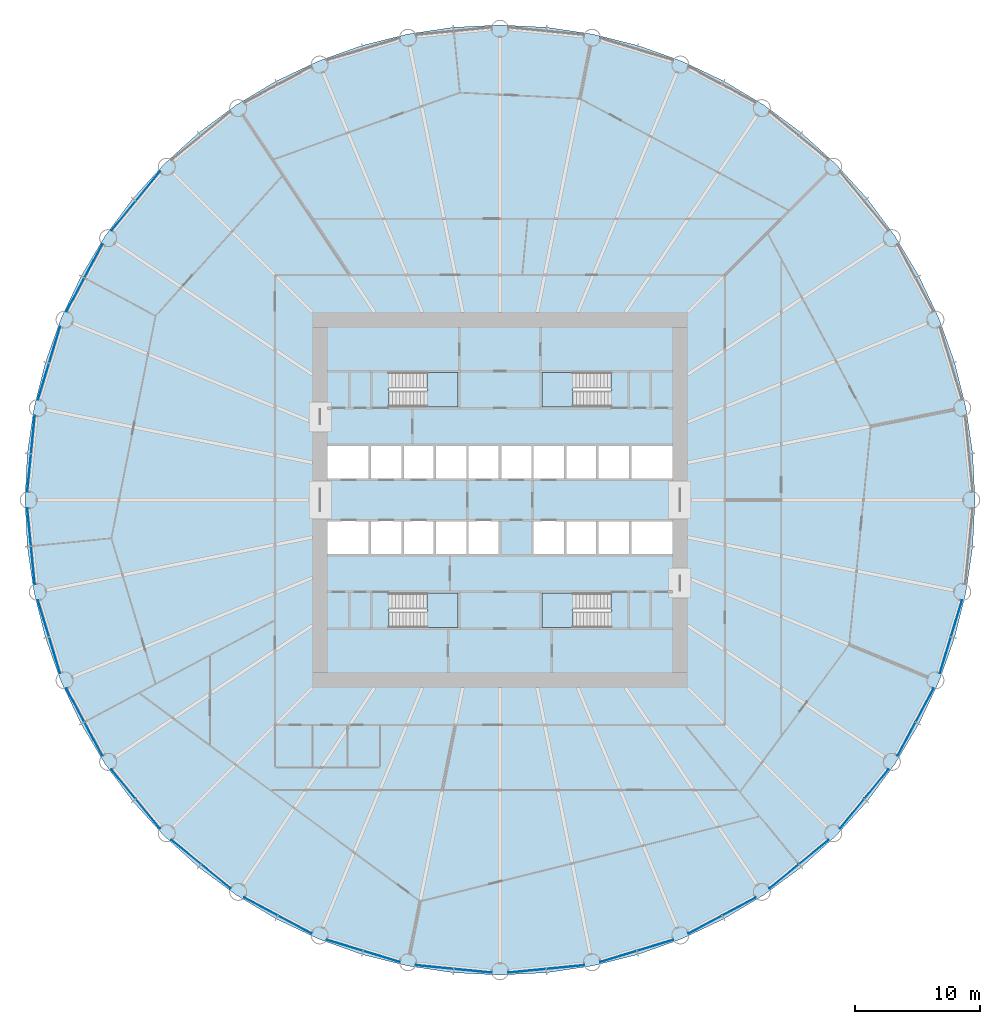
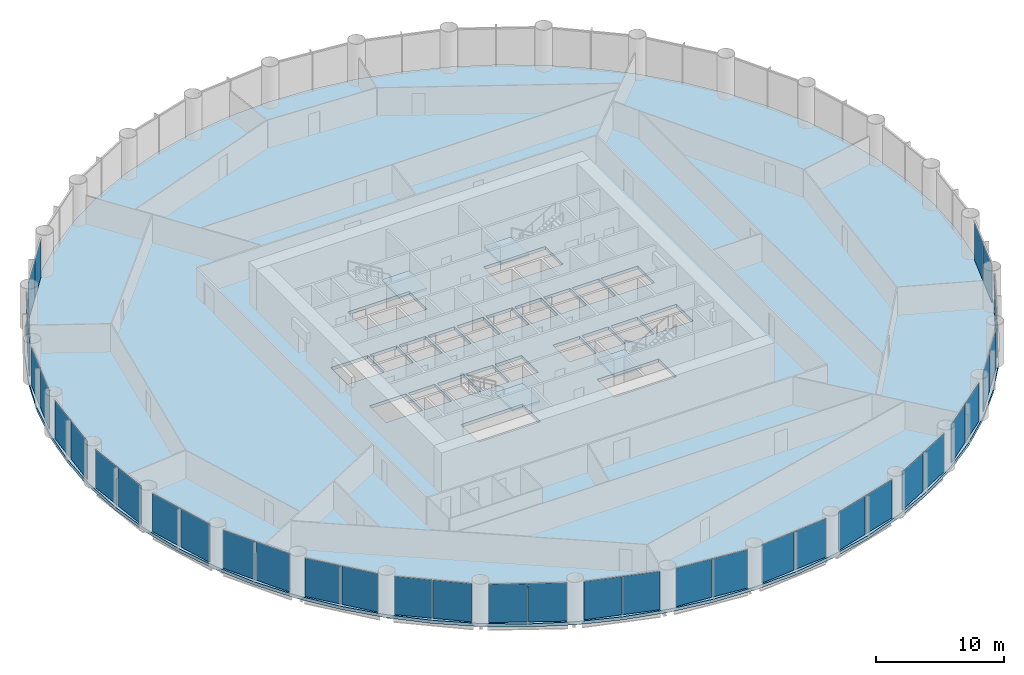
# One storey, part 8 of 15: 38 plates, 5 slabs, 23 elements without a shape of their own.
"""IFC4 building model written with IfcOpenShell, lengths in metres."""

from ifc_helpers import new_model, si_unit, direction, frame, origin, origin_2d, place, context, subcontext, project, spatial, polyline, rectangle, outline, extrude, material, layer, layer_set, type_object, element, aggregate, save


model = new_model("IFC4")

# Units and contexts
model_context = context("Model", 3, precision=1e-05, world=origin(), true_north=direction((0.0, 1.0)))
body_context = subcontext(model_context, "Body", "Model", "MODEL_VIEW")
ifc_project = project(units=[si_unit("LENGTHUNIT", "METRE"), si_unit("AREAUNIT", "SQUARE_METRE"), si_unit("VOLUMEUNIT", "CUBIC_METRE"), si_unit("PLANEANGLEUNIT", "RADIAN"), si_unit("MASSUNIT", "GRAM", prefix="KILO")], contexts=[model_context])

# Site, building, storey
site_placement = place(None, origin())
site = spatial("IfcSite", under=ifc_project, at=site_placement, CompositionType="ELEMENT")
building_placement = place(site_placement, origin())
building = spatial("IfcBuilding", under=site, at=building_placement, Name="Corvane Civic Tower", CompositionType="ELEMENT")
storey_placement = place(building_placement, frame((0.0, 0.0, 45.0)))
storey = spatial("IfcBuildingStorey", under=building, at=storey_placement, Name="L09", CompositionType="ELEMENT", Elevation=45.0)

# Slab
ifc_material_1 = material(Name="Concrete C40/50", Category="concrete")
ifc_layer_1 = layer(ifc_material_1, 0.300048828125)
ifc_layer_set_1 = layer_set([ifc_layer_1], Name="Concrete C40/50")
slab_type_1 = type_object("IfcSlabType", Name="FLOOR SLAB 300", PredefinedType="FLOOR", material=ifc_layer_set_1)
slab_1_placement = place(storey_placement, frame((0.0, 0.0, -0.300048828125)))
element("IfcSlab", 1, at=slab_1_placement, inside=storey, type_object=slab_type_1, Name="SLB-L09", PredefinedType="FLOOR", context=body_context, shape_type="SweptSolid", body=[
    extrude(outline(polyline([(0.0, 38.0), (-3.724609375, 37.817138671875), (-7.413330078125, 37.269775390625), (-11.03076171875, 36.36376953125), (-14.5419921875, 35.107421875), (-17.9130859375, 33.512939453125), (-21.111572265625, 31.595947265625), (-24.10693359375, 29.37451171875), (-26.8701171875, 26.8701171875), (-29.37451171875, 24.10693359375), (-31.595947265625, 21.111572265625), (-33.512939453125, 17.9130859375), (-35.107421875, 14.5419921875), (-36.36376953125, 11.03076171875), (-37.269775390625, 7.413330078125), (-37.817138671875, 3.724609375), (-38.0, 0.0), (-37.817138671875, -3.724609375), (-37.269775390625, -7.413330078125), (-36.36376953125, -11.03076171875), (-35.107421875, -14.5419921875), (-33.512939453125, -17.9130859375), (-31.595947265625, -21.111572265625), (-29.37451171875, -24.10693359375), (-26.8701171875, -26.8701171875), (-24.10693359375, -29.37451171875), (-21.111572265625, -31.595947265625), (-17.9130859375, -33.512939453125), (-14.5419921875, -35.107421875), (-11.03076171875, -36.36376953125), (-7.413330078125, -37.269775390625), (-3.724609375, -37.817138671875), (0.0, -38.0), (3.724609375, -37.817138671875), (7.413330078125, -37.269775390625), (11.03076171875, -36.36376953125), (14.5419921875, -35.107421875), (17.9130859375, -33.512939453125), (21.111572265625, -31.595947265625), (24.10693359375, -29.37451171875), (26.8701171875, -26.8701171875), (29.37451171875, -24.10693359375), (31.595947265625, -21.111572265625), (33.512939453125, -17.9130859375), (35.107421875, -14.5419921875), (36.36376953125, -11.03076171875), (37.269775390625, -7.413330078125), (37.817138671875, -3.724609375), (38.0, 0.0), (37.817138671875, 3.724609375), (37.269775390625, 7.413330078125), (36.36376953125, 11.03076171875), (35.107421875, 14.5419921875), (33.512939453125, 17.9130859375), (31.595947265625, 21.111572265625), (29.37451171875, 24.10693359375), (26.8701171875, 26.8701171875), (24.10693359375, 29.37451171875), (21.111572265625, 31.595947265625), (17.9130859375, 33.512939453125), (14.5419921875, 35.107421875), (11.03076171875, 36.36376953125), (7.413330078125, 37.269775390625), (3.724609375, 37.817138671875), (0.0, 38.0)]), holes=[polyline([(-13.800048828125, 4.300048828125), (-10.5, 4.300048828125), (-10.5, 1.699951171875), (-13.800048828125, 1.699951171875), (-13.800048828125, 4.300048828125)]), polyline([(-7.89990234375, 1.699951171875), (-10.300048828125, 1.699951171875), (-10.300048828125, 4.300048828125), (-7.89990234375, 4.300048828125), (-7.89990234375, 1.699951171875)]), polyline([(-7.699951171875, 4.300048828125), (-5.300048828125, 4.300048828125), (-5.300048828125, 1.699951171875), (-7.699951171875, 1.699951171875), (-7.699951171875, 4.300048828125)]), polyline([(-5.10009765625, 4.300048828125), (-2.699951171875, 4.300048828125), (-2.699951171875, 1.699951171875), (-5.10009765625, 1.699951171875), (-5.10009765625, 4.300048828125)]), polyline([(-0.10009765625, 1.699951171875), (-2.5, 1.699951171875), (-2.5, 4.300048828125), (-0.10009765625, 4.300048828125), (-0.10009765625, 1.699951171875)]), polyline([(2.5, 1.699951171875), (0.10009765625, 1.699951171875), (0.10009765625, 4.300048828125), (2.5, 4.300048828125), (2.5, 1.699951171875)]), polyline([(2.699951171875, 4.300048828125), (5.10009765625, 4.300048828125), (5.10009765625, 1.699951171875), (2.699951171875, 1.699951171875), (2.699951171875, 4.300048828125)]), polyline([(5.300048828125, 4.300048828125), (7.699951171875, 4.300048828125), (7.699951171875, 1.699951171875), (5.300048828125, 1.699951171875), (5.300048828125, 4.300048828125)]), polyline([(7.89990234375, 4.300048828125), (10.300048828125, 4.300048828125), (10.300048828125, 1.699951171875), (7.89990234375, 1.699951171875), (7.89990234375, 4.300048828125)]), polyline([(13.800048828125, 1.699951171875), (10.5, 1.699951171875), (10.5, 4.300048828125), (13.800048828125, 4.300048828125), (13.800048828125, 1.699951171875)]), polyline([(-13.800048828125, -1.699951171875), (-10.5, -1.699951171875), (-10.5, -4.300048828125), (-13.800048828125, -4.300048828125), (-13.800048828125, -1.699951171875)]), polyline([(-7.89990234375, -1.699951171875), (-7.89990234375, -4.300048828125), (-10.300048828125, -4.300048828125), (-10.300048828125, -1.699951171875), (-7.89990234375, -1.699951171875)]), polyline([(-5.300048828125, -1.699951171875), (-5.300048828125, -4.300048828125), (-7.699951171875, -4.300048828125), (-7.699951171875, -1.699951171875), (-5.300048828125, -1.699951171875)]), polyline([(-5.10009765625, -4.300048828125), (-5.10009765625, -1.699951171875), (-2.699951171875, -1.699951171875), (-2.699951171875, -4.300048828125), (-5.10009765625, -4.300048828125)]), polyline([(-0.10009765625, -1.699951171875), (-0.10009765625, -4.300048828125), (-2.5, -4.300048828125), (-2.5, -1.699951171875), (-0.10009765625, -1.699951171875)]), polyline([(5.10009765625, -1.699951171875), (5.10009765625, -4.300048828125), (2.699951171875, -4.300048828125), (2.699951171875, -1.699951171875), (5.10009765625, -1.699951171875)]), polyline([(7.699951171875, -1.699951171875), (7.699951171875, -4.300048828125), (5.300048828125, -4.300048828125), (5.300048828125, -1.699951171875), (7.699951171875, -1.699951171875)]), polyline([(10.300048828125, -1.699951171875), (10.300048828125, -4.300048828125), (7.89990234375, -4.300048828125), (7.89990234375, -1.699951171875), (10.300048828125, -1.699951171875)]), polyline([(13.800048828125, -4.300048828125), (10.5, -4.300048828125), (10.5, -1.699951171875), (13.800048828125, -1.699951171875), (13.800048828125, -4.300048828125)]), polyline([(8.889892578125, 10.199951171875), (8.889892578125, 7.449951171875), (3.35009765625, 7.449951171875), (3.35009765625, 10.199951171875), (8.889892578125, 10.199951171875)]), polyline([(-8.889892578125, 7.449951171875), (-8.889892578125, 10.199951171875), (-3.35009765625, 10.199951171875), (-3.35009765625, 7.449951171875), (-8.889892578125, 7.449951171875)]), polyline([(8.889892578125, -7.449951171875), (8.889892578125, -10.199951171875), (3.35009765625, -10.199951171875), (3.35009765625, -7.449951171875), (8.889892578125, -7.449951171875)]), polyline([(-8.889892578125, -10.199951171875), (-8.889892578125, -7.449951171875), (-3.35009765625, -7.449951171875), (-3.35009765625, -10.199951171875), (-8.889892578125, -10.199951171875)])]), origin(), (0.0, 0.0, 1.0), 0.300048828125),
])

# Stair, slab
ifc_material_2 = material(Name="Concrete C40/50", Category="concrete")
stair_type = type_object("IfcStairType", Name="ST-STAIR-HALFTURN", PredefinedType="HALF_TURN_STAIR", material=ifc_material_2)
stair_1_placement = place(storey_placement, origin())
stair_1 = element("IfcStair", 2, at=stair_1_placement, inside=storey, type_object=stair_type, Name="L09 Exit stair ST1", PredefinedType="HALF_TURN_STAIR")
ifc_material_3 = material(Name="Concrete C40/50", Category="concrete")
ifc_layer_2 = layer(ifc_material_3, 0.199951171875)
ifc_layer_set_2 = layer_set([ifc_layer_2], Name="Concrete C40/50")
slab_type_2 = type_object("IfcSlabType", Name="ST-LANDING-RC", PredefinedType="LANDING", material=ifc_layer_set_2)
slab_2_placement = place(storey_placement, frame((0.0, 0.0, 1.800048828125)))
slab_2 = element("IfcSlab", 3, at=slab_2_placement, type_object=slab_type_2, Name="ST1 landing 1", PredefinedType="LANDING", context=body_context, shape_type="SweptSolid", body=[
    extrude(outline(polyline([(5.820068359375, 10.199951171875), (3.35009765625, 10.199951171875), (3.35009765625, 7.449951171875), (5.820068359375, 7.449951171875), (5.820068359375, 10.199951171875)])), origin(), (0.0, 0.0, 1.0), 0.199951171875),
])
aggregate(stair_1, [slab_2])

stair_2_placement = place(storey_placement, origin())
stair_2 = element("IfcStair", 4, at=stair_2_placement, inside=storey, type_object=stair_type, Name="L09 Exit stair ST2", PredefinedType="HALF_TURN_STAIR")
slab_3_placement = place(storey_placement, frame((0.0, 0.0, 1.800048828125)))
slab_3 = element("IfcSlab", 5, at=slab_3_placement, type_object=slab_type_2, Name="ST2 landing 1", PredefinedType="LANDING", context=body_context, shape_type="SweptSolid", body=[
    extrude(outline(polyline([(5.820068359375, -7.449951171875), (3.35009765625, -7.449951171875), (3.35009765625, -10.199951171875), (5.820068359375, -10.199951171875), (5.820068359375, -7.449951171875)])), origin(), (0.0, 0.0, 1.0), 0.199951171875),
])
aggregate(stair_2, [slab_3])

stair_3_placement = place(storey_placement, origin())
stair_3 = element("IfcStair", 6, at=stair_3_placement, inside=storey, type_object=stair_type, Name="L09 Exit stair ST3", PredefinedType="HALF_TURN_STAIR")
slab_4_placement = place(storey_placement, frame((0.0, 0.0, 1.800048828125)))
slab_4 = element("IfcSlab", 7, at=slab_4_placement, type_object=slab_type_2, Name="ST3 landing 1", PredefinedType="LANDING", context=body_context, shape_type="SweptSolid", body=[
    extrude(outline(polyline([(-5.820068359375, -10.199951171875), (-3.35009765625, -10.199951171875), (-3.35009765625, -7.449951171875), (-5.820068359375, -7.449951171875), (-5.820068359375, -10.199951171875)])), origin(), (0.0, 0.0, 1.0), 0.199951171875),
])
aggregate(stair_3, [slab_4])

stair_4_placement = place(storey_placement, origin())
stair_4 = element("IfcStair", 8, at=stair_4_placement, inside=storey, type_object=stair_type, Name="L09 Exit stair ST4", PredefinedType="HALF_TURN_STAIR")
slab_5_placement = place(storey_placement, frame((0.0, 0.0, 1.800048828125)))
slab_5 = element("IfcSlab", 9, at=slab_5_placement, type_object=slab_type_2, Name="ST4 landing 1", PredefinedType="LANDING", context=body_context, shape_type="SweptSolid", body=[
    extrude(outline(polyline([(-5.820068359375, 7.449951171875), (-3.35009765625, 7.449951171875), (-3.35009765625, 10.199951171875), (-5.820068359375, 10.199951171875), (-5.820068359375, 7.449951171875)])), origin(), (0.0, 0.0, 1.0), 0.199951171875),
])
aggregate(stair_4, [slab_5])

# Curtain wall, plates
ifc_material_4 = material(Name="Anodised aluminium bronze", Category="aluminium")
curtain_wall_type = type_object("IfcCurtainWallType", Name="TOWER CW-T1 STICK CURTAIN WALL", PredefinedType="NOTDEFINED", material=ifc_material_4)
curtain_wall_1_placement = place(storey_placement, origin())
curtain_wall_1 = element("IfcCurtainWall", 10, at=curtain_wall_1_placement, inside=storey, type_object=curtain_wall_type, Name="Curtain wall CW-T1 L09 bay 10", PredefinedType="NOTDEFINED")
ifc_material_5 = material(Name="Tinted glass", Category="glass")
ifc_layer_3 = layer(ifc_material_5, 0.035888671875)
ifc_layer_set_3 = layer_set([ifc_layer_3], Name="Tinted glass")
plate_type = type_object("IfcPlateType", Name="TOWER CW-T1 PANEL IGU36", PredefinedType="CURTAIN_PANEL", material=ifc_layer_set_3)
plate_1_placement = place(storey_placement, frame((36.522705078125, -9.46533203125, 0.0), z_axis=(0.0, 0.0, 1.0), x_axis=(-0.290278397654, -0.956942240606, 0.0)))
plate_1 = element("IfcPlate", 11, at=plate_1_placement, type_object=plate_type, Name="Glass panel CW-T1 L09 10.1", PredefinedType="CURTAIN_PANEL", context=body_context, shape_type="SweptSolid", body=[
    extrude(rectangle(XDim=3.008544921875, YDim=0.035888671875, at=origin_2d()), origin(), (0.0, 0.0, 1.0), 3.6298828125),
])
plate_2_placement = place(storey_placement, frame((35.6259765625, -12.4208984375, 0.0), z_axis=(0.0, 0.0, 1.0), x_axis=(-0.290278397654, -0.956942240606, 0.0)))
plate_2 = element("IfcPlate", 12, at=plate_2_placement, type_object=plate_type, Name="Glass panel CW-T1 L09 10.2", PredefinedType="CURTAIN_PANEL", context=body_context, shape_type="SweptSolid", body=[
    extrude(rectangle(XDim=3.008544921875, YDim=0.035888671875, at=origin_2d()), origin(), (0.0, 0.0, 1.0), 3.6298828125),
])
aggregate(curtain_wall_1, [plate_1, plate_2])

curtain_wall_2_placement = place(storey_placement, origin())
curtain_wall_2 = element("IfcCurtainWall", 13, at=curtain_wall_2_placement, inside=storey, type_object=curtain_wall_type, Name="Curtain wall CW-T1 L09 bay 11", PredefinedType="NOTDEFINED")
plate_3_placement = place(storey_placement, frame((33.974365234375, -16.40869140625, 0.0), z_axis=(0.0, 0.0, 1.0), x_axis=(-0.471403725359, -0.881917528864, 0.0)))
plate_3 = element("IfcPlate", 14, at=plate_3_placement, type_object=plate_type, Name="Glass panel CW-T1 L09 11.1", PredefinedType="CURTAIN_PANEL", context=body_context, shape_type="SweptSolid", body=[
    extrude(rectangle(XDim=3.008544921875, YDim=0.035888671875, at=origin_2d()), origin(), (0.0, 0.0, 1.0), 3.6298828125),
])
plate_4_placement = place(storey_placement, frame((32.518310546875, -19.132568359375, 0.0), z_axis=(0.0, 0.0, 1.0), x_axis=(-0.471403725359, -0.881917528864, 0.0)))
plate_4 = element("IfcPlate", 15, at=plate_4_placement, type_object=plate_type, Name="Glass panel CW-T1 L09 11.2", PredefinedType="CURTAIN_PANEL", context=body_context, shape_type="SweptSolid", body=[
    extrude(rectangle(XDim=3.008544921875, YDim=0.035888671875, at=origin_2d()), origin(), (0.0, 0.0, 1.0), 3.6298828125),
])
aggregate(curtain_wall_2, [plate_3, plate_4])

curtain_wall_3_placement = place(storey_placement, origin())
curtain_wall_3 = element("IfcCurtainWall", 16, at=curtain_wall_3_placement, inside=storey, type_object=curtain_wall_type, Name="Curtain wall CW-T1 L09 bay 12", PredefinedType="NOTDEFINED")
plate_5_placement = place(storey_placement, frame((30.120361328125, -22.721435546875, 0.0), z_axis=(0.0, 0.0, 1.0), x_axis=(-0.634397218569, -0.773007224463, 0.0)))
plate_5 = element("IfcPlate", 17, at=plate_5_placement, type_object=plate_type, Name="Glass panel CW-T1 L09 12.1", PredefinedType="CURTAIN_PANEL", context=body_context, shape_type="SweptSolid", body=[
    extrude(rectangle(XDim=3.008544921875, YDim=0.035888671875, at=origin_2d()), origin(), (0.0, 0.0, 1.0), 3.6298828125),
])
plate_6_placement = place(storey_placement, frame((28.160888671875, -25.10888671875, 0.0), z_axis=(0.0, 0.0, 1.0), x_axis=(-0.634397218569, -0.773007224463, 0.0)))
plate_6 = element("IfcPlate", 18, at=plate_6_placement, type_object=plate_type, Name="Glass panel CW-T1 L09 12.2", PredefinedType="CURTAIN_PANEL", context=body_context, shape_type="SweptSolid", body=[
    extrude(rectangle(XDim=3.008544921875, YDim=0.035888671875, at=origin_2d()), origin(), (0.0, 0.0, 1.0), 3.6298828125),
])
aggregate(curtain_wall_3, [plate_5, plate_6])

curtain_wall_4_placement = place(storey_placement, origin())
curtain_wall_4 = element("IfcCurtainWall", 19, at=curtain_wall_4_placement, inside=storey, type_object=curtain_wall_type, Name="Curtain wall CW-T1 L09 bay 13", PredefinedType="NOTDEFINED")
plate_7_placement = place(storey_placement, frame((25.10888671875, -28.160888671875, 0.0), z_axis=(0.0, 0.0, 1.0), x_axis=(-0.773007224463, -0.634397218569, 0.0)))
plate_7 = element("IfcPlate", 20, at=plate_7_placement, type_object=plate_type, Name="Glass panel CW-T1 L09 13.1", PredefinedType="CURTAIN_PANEL", context=body_context, shape_type="SweptSolid", body=[
    extrude(rectangle(XDim=3.008544921875, YDim=0.035888671875, at=origin_2d()), origin(), (0.0, 0.0, 1.0), 3.6298828125),
])
plate_8_placement = place(storey_placement, frame((22.721435546875, -30.120361328125, 0.0), z_axis=(0.0, 0.0, 1.0), x_axis=(-0.773007224463, -0.634397218569, 0.0)))
plate_8 = element("IfcPlate", 21, at=plate_8_placement, type_object=plate_type, Name="Glass panel CW-T1 L09 13.2", PredefinedType="CURTAIN_PANEL", context=body_context, shape_type="SweptSolid", body=[
    extrude(rectangle(XDim=3.008544921875, YDim=0.035888671875, at=origin_2d()), origin(), (0.0, 0.0, 1.0), 3.6298828125),
])
aggregate(curtain_wall_4, [plate_7, plate_8])

curtain_wall_5_placement = place(storey_placement, origin())
curtain_wall_5 = element("IfcCurtainWall", 22, at=curtain_wall_5_placement, inside=storey, type_object=curtain_wall_type, Name="Curtain wall CW-T1 L09 bay 14", PredefinedType="NOTDEFINED")
plate_9_placement = place(storey_placement, frame((19.132568359375, -32.518310546875, 0.0), z_axis=(0.0, 0.0, 1.0), x_axis=(-0.881917528864, -0.471403725359, 0.0)))
plate_9 = element("IfcPlate", 23, at=plate_9_placement, type_object=plate_type, Name="Glass panel CW-T1 L09 14.1", PredefinedType="CURTAIN_PANEL", context=body_context, shape_type="SweptSolid", body=[
    extrude(rectangle(XDim=3.008544921875, YDim=0.035888671875, at=origin_2d()), origin(), (0.0, 0.0, 1.0), 3.6298828125),
])
plate_10_placement = place(storey_placement, frame((16.40869140625, -33.974365234375, 0.0), z_axis=(0.0, 0.0, 1.0), x_axis=(-0.881917528864, -0.471403725359, 0.0)))
plate_10 = element("IfcPlate", 24, at=plate_10_placement, type_object=plate_type, Name="Glass panel CW-T1 L09 14.2", PredefinedType="CURTAIN_PANEL", context=body_context, shape_type="SweptSolid", body=[
    extrude(rectangle(XDim=3.008544921875, YDim=0.035888671875, at=origin_2d()), origin(), (0.0, 0.0, 1.0), 3.6298828125),
])
aggregate(curtain_wall_5, [plate_9, plate_10])

curtain_wall_6_placement = place(storey_placement, origin())
curtain_wall_6 = element("IfcCurtainWall", 25, at=curtain_wall_6_placement, inside=storey, type_object=curtain_wall_type, Name="Curtain wall CW-T1 L09 bay 15", PredefinedType="NOTDEFINED")
plate_11_placement = place(storey_placement, frame((12.4208984375, -35.6259765625, 0.0), z_axis=(0.0, 0.0, 1.0), x_axis=(-0.956942240606, -0.290278397654, 0.0)))
plate_11 = element("IfcPlate", 26, at=plate_11_placement, type_object=plate_type, Name="Glass panel CW-T1 L09 15.1", PredefinedType="CURTAIN_PANEL", context=body_context, shape_type="SweptSolid", body=[
    extrude(rectangle(XDim=3.008544921875, YDim=0.035888671875, at=origin_2d()), origin(), (0.0, 0.0, 1.0), 3.6298828125),
])
plate_12_placement = place(storey_placement, frame((9.46533203125, -36.522705078125, 0.0), z_axis=(0.0, 0.0, 1.0), x_axis=(-0.956942240606, -0.290278397654, 0.0)))
plate_12 = element("IfcPlate", 27, at=plate_12_placement, type_object=plate_type, Name="Glass panel CW-T1 L09 15.2", PredefinedType="CURTAIN_PANEL", context=body_context, shape_type="SweptSolid", body=[
    extrude(rectangle(XDim=3.008544921875, YDim=0.035888671875, at=origin_2d()), origin(), (0.0, 0.0, 1.0), 3.6298828125),
])
aggregate(curtain_wall_6, [plate_11, plate_12])

curtain_wall_7_placement = place(storey_placement, origin())
curtain_wall_7 = element("IfcCurtainWall", 28, at=curtain_wall_7_placement, inside=storey, type_object=curtain_wall_type, Name="Curtain wall CW-T1 L09 bay 16", PredefinedType="NOTDEFINED")
plate_13_placement = place(storey_placement, frame((5.23193359375, -37.36474609375, 0.0), z_axis=(0.0, 0.0, 1.0), x_axis=(-0.995185800248, -0.098006239521, 0.0)))
plate_13 = element("IfcPlate", 29, at=plate_13_placement, type_object=plate_type, Name="Glass panel CW-T1 L09 16.1", PredefinedType="CURTAIN_PANEL", context=body_context, shape_type="SweptSolid", body=[
    extrude(rectangle(XDim=3.008544921875, YDim=0.035888671875, at=origin_2d()), origin(), (0.0, 0.0, 1.0), 3.6298828125),
])
plate_14_placement = place(storey_placement, frame((2.158203125, -37.667236328125, 0.0), z_axis=(0.0, 0.0, 1.0), x_axis=(-0.995185800248, -0.098006239521, 0.0)))
plate_14 = element("IfcPlate", 30, at=plate_14_placement, type_object=plate_type, Name="Glass panel CW-T1 L09 16.2", PredefinedType="CURTAIN_PANEL", context=body_context, shape_type="SweptSolid", body=[
    extrude(rectangle(XDim=3.008544921875, YDim=0.035888671875, at=origin_2d()), origin(), (0.0, 0.0, 1.0), 3.6298828125),
])
aggregate(curtain_wall_7, [plate_13, plate_14])

curtain_wall_8_placement = place(storey_placement, origin())
curtain_wall_8 = element("IfcCurtainWall", 31, at=curtain_wall_8_placement, inside=storey, type_object=curtain_wall_type, Name="Curtain wall CW-T1 L09 bay 17", PredefinedType="NOTDEFINED")
plate_15_placement = place(storey_placement, frame((-2.158203125, -37.667236328125, 0.0), z_axis=(0.0, 0.0, 1.0), x_axis=(-0.995185800248, 0.098006239521, 0.0)))
plate_15 = element("IfcPlate", 32, at=plate_15_placement, type_object=plate_type, Name="Glass panel CW-T1 L09 17.1", PredefinedType="CURTAIN_PANEL", context=body_context, shape_type="SweptSolid", body=[
    extrude(rectangle(XDim=3.008544921875, YDim=0.035888671875, at=origin_2d()), origin(), (0.0, 0.0, 1.0), 3.6298828125),
])
plate_16_placement = place(storey_placement, frame((-5.23193359375, -37.36474609375, 0.0), z_axis=(0.0, 0.0, 1.0), x_axis=(-0.995185800248, 0.098006239521, 0.0)))
plate_16 = element("IfcPlate", 33, at=plate_16_placement, type_object=plate_type, Name="Glass panel CW-T1 L09 17.2", PredefinedType="CURTAIN_PANEL", context=body_context, shape_type="SweptSolid", body=[
    extrude(rectangle(XDim=3.008544921875, YDim=0.035888671875, at=origin_2d()), origin(), (0.0, 0.0, 1.0), 3.6298828125),
])
aggregate(curtain_wall_8, [plate_15, plate_16])

curtain_wall_9_placement = place(storey_placement, origin())
curtain_wall_9 = element("IfcCurtainWall", 34, at=curtain_wall_9_placement, inside=storey, type_object=curtain_wall_type, Name="Curtain wall CW-T1 L09 bay 18", PredefinedType="NOTDEFINED")
plate_17_placement = place(storey_placement, frame((-9.46533203125, -36.522705078125, 0.0), z_axis=(0.0, 0.0, 1.0), x_axis=(-0.956942240606, 0.290278397654, 0.0)))
plate_17 = element("IfcPlate", 35, at=plate_17_placement, type_object=plate_type, Name="Glass panel CW-T1 L09 18.1", PredefinedType="CURTAIN_PANEL", context=body_context, shape_type="SweptSolid", body=[
    extrude(rectangle(XDim=3.008544921875, YDim=0.035888671875, at=origin_2d()), origin(), (0.0, 0.0, 1.0), 3.6298828125),
])
plate_18_placement = place(storey_placement, frame((-12.4208984375, -35.6259765625, 0.0), z_axis=(0.0, 0.0, 1.0), x_axis=(-0.956942240606, 0.290278397654, 0.0)))
plate_18 = element("IfcPlate", 36, at=plate_18_placement, type_object=plate_type, Name="Glass panel CW-T1 L09 18.2", PredefinedType="CURTAIN_PANEL", context=body_context, shape_type="SweptSolid", body=[
    extrude(rectangle(XDim=3.008544921875, YDim=0.035888671875, at=origin_2d()), origin(), (0.0, 0.0, 1.0), 3.6298828125),
])
aggregate(curtain_wall_9, [plate_17, plate_18])

curtain_wall_10_placement = place(storey_placement, origin())
curtain_wall_10 = element("IfcCurtainWall", 37, at=curtain_wall_10_placement, inside=storey, type_object=curtain_wall_type, Name="Curtain wall CW-T1 L09 bay 19", PredefinedType="NOTDEFINED")
plate_19_placement = place(storey_placement, frame((-16.40869140625, -33.974365234375, 0.0), z_axis=(0.0, 0.0, 1.0), x_axis=(-0.881917528864, 0.471403725359, 0.0)))
plate_19 = element("IfcPlate", 38, at=plate_19_placement, type_object=plate_type, Name="Glass panel CW-T1 L09 19.1", PredefinedType="CURTAIN_PANEL", context=body_context, shape_type="SweptSolid", body=[
    extrude(rectangle(XDim=3.008544921875, YDim=0.035888671875, at=origin_2d()), origin(), (0.0, 0.0, 1.0), 3.6298828125),
])
plate_20_placement = place(storey_placement, frame((-19.132568359375, -32.518310546875, 0.0), z_axis=(0.0, 0.0, 1.0), x_axis=(-0.881917528864, 0.471403725359, 0.0)))
plate_20 = element("IfcPlate", 39, at=plate_20_placement, type_object=plate_type, Name="Glass panel CW-T1 L09 19.2", PredefinedType="CURTAIN_PANEL", context=body_context, shape_type="SweptSolid", body=[
    extrude(rectangle(XDim=3.008544921875, YDim=0.035888671875, at=origin_2d()), origin(), (0.0, 0.0, 1.0), 3.6298828125),
])
aggregate(curtain_wall_10, [plate_19, plate_20])

curtain_wall_11_placement = place(storey_placement, origin())
curtain_wall_11 = element("IfcCurtainWall", 40, at=curtain_wall_11_placement, inside=storey, type_object=curtain_wall_type, Name="Curtain wall CW-T1 L09 bay 20", PredefinedType="NOTDEFINED")
plate_21_placement = place(storey_placement, frame((-22.721435546875, -30.120361328125, 0.0), z_axis=(0.0, 0.0, 1.0), x_axis=(-0.773007224463, 0.634397218569, 0.0)))
plate_21 = element("IfcPlate", 41, at=plate_21_placement, type_object=plate_type, Name="Glass panel CW-T1 L09 20.1", PredefinedType="CURTAIN_PANEL", context=body_context, shape_type="SweptSolid", body=[
    extrude(rectangle(XDim=3.008544921875, YDim=0.035888671875, at=origin_2d()), origin(), (0.0, 0.0, 1.0), 3.6298828125),
])
plate_22_placement = place(storey_placement, frame((-25.10888671875, -28.160888671875, 0.0), z_axis=(0.0, 0.0, 1.0), x_axis=(-0.773007224463, 0.634397218569, 0.0)))
plate_22 = element("IfcPlate", 42, at=plate_22_placement, type_object=plate_type, Name="Glass panel CW-T1 L09 20.2", PredefinedType="CURTAIN_PANEL", context=body_context, shape_type="SweptSolid", body=[
    extrude(rectangle(XDim=3.008544921875, YDim=0.035888671875, at=origin_2d()), origin(), (0.0, 0.0, 1.0), 3.6298828125),
])
aggregate(curtain_wall_11, [plate_21, plate_22])

curtain_wall_12_placement = place(storey_placement, origin())
curtain_wall_12 = element("IfcCurtainWall", 43, at=curtain_wall_12_placement, inside=storey, type_object=curtain_wall_type, Name="Curtain wall CW-T1 L09 bay 21", PredefinedType="NOTDEFINED")
plate_23_placement = place(storey_placement, frame((-28.160888671875, -25.10888671875, 0.0), z_axis=(0.0, 0.0, 1.0), x_axis=(-0.634397218569, 0.773007224463, 0.0)))
plate_23 = element("IfcPlate", 44, at=plate_23_placement, type_object=plate_type, Name="Glass panel CW-T1 L09 21.1", PredefinedType="CURTAIN_PANEL", context=body_context, shape_type="SweptSolid", body=[
    extrude(rectangle(XDim=3.008544921875, YDim=0.035888671875, at=origin_2d()), origin(), (0.0, 0.0, 1.0), 3.6298828125),
])
plate_24_placement = place(storey_placement, frame((-30.120361328125, -22.721435546875, 0.0), z_axis=(0.0, 0.0, 1.0), x_axis=(-0.634397218569, 0.773007224463, 0.0)))
plate_24 = element("IfcPlate", 45, at=plate_24_placement, type_object=plate_type, Name="Glass panel CW-T1 L09 21.2", PredefinedType="CURTAIN_PANEL", context=body_context, shape_type="SweptSolid", body=[
    extrude(rectangle(XDim=3.008544921875, YDim=0.035888671875, at=origin_2d()), origin(), (0.0, 0.0, 1.0), 3.6298828125),
])
aggregate(curtain_wall_12, [plate_23, plate_24])

curtain_wall_13_placement = place(storey_placement, origin())
curtain_wall_13 = element("IfcCurtainWall", 46, at=curtain_wall_13_placement, inside=storey, type_object=curtain_wall_type, Name="Curtain wall CW-T1 L09 bay 22", PredefinedType="NOTDEFINED")
plate_25_placement = place(storey_placement, frame((-32.518310546875, -19.132568359375, 0.0), z_axis=(0.0, 0.0, 1.0), x_axis=(-0.471403725359, 0.881917528864, 0.0)))
plate_25 = element("IfcPlate", 47, at=plate_25_placement, type_object=plate_type, Name="Glass panel CW-T1 L09 22.1", PredefinedType="CURTAIN_PANEL", context=body_context, shape_type="SweptSolid", body=[
    extrude(rectangle(XDim=3.008544921875, YDim=0.035888671875, at=origin_2d()), origin(), (0.0, 0.0, 1.0), 3.6298828125),
])
plate_26_placement = place(storey_placement, frame((-33.974365234375, -16.40869140625, 0.0), z_axis=(0.0, 0.0, 1.0), x_axis=(-0.471403725359, 0.881917528864, 0.0)))
plate_26 = element("IfcPlate", 48, at=plate_26_placement, type_object=plate_type, Name="Glass panel CW-T1 L09 22.2", PredefinedType="CURTAIN_PANEL", context=body_context, shape_type="SweptSolid", body=[
    extrude(rectangle(XDim=3.008544921875, YDim=0.035888671875, at=origin_2d()), origin(), (0.0, 0.0, 1.0), 3.6298828125),
])
aggregate(curtain_wall_13, [plate_25, plate_26])

curtain_wall_14_placement = place(storey_placement, origin())
curtain_wall_14 = element("IfcCurtainWall", 49, at=curtain_wall_14_placement, inside=storey, type_object=curtain_wall_type, Name="Curtain wall CW-T1 L09 bay 23", PredefinedType="NOTDEFINED")
plate_27_placement = place(storey_placement, frame((-35.6259765625, -12.4208984375, 0.0), z_axis=(0.0, 0.0, 1.0), x_axis=(-0.290278397654, 0.956942240606, 0.0)))
plate_27 = element("IfcPlate", 50, at=plate_27_placement, type_object=plate_type, Name="Glass panel CW-T1 L09 23.1", PredefinedType="CURTAIN_PANEL", context=body_context, shape_type="SweptSolid", body=[
    extrude(rectangle(XDim=3.008544921875, YDim=0.035888671875, at=origin_2d()), origin(), (0.0, 0.0, 1.0), 3.6298828125),
])
plate_28_placement = place(storey_placement, frame((-36.522705078125, -9.46533203125, 0.0), z_axis=(0.0, 0.0, 1.0), x_axis=(-0.290278397654, 0.956942240606, 0.0)))
plate_28 = element("IfcPlate", 51, at=plate_28_placement, type_object=plate_type, Name="Glass panel CW-T1 L09 23.2", PredefinedType="CURTAIN_PANEL", context=body_context, shape_type="SweptSolid", body=[
    extrude(rectangle(XDim=3.008544921875, YDim=0.035888671875, at=origin_2d()), origin(), (0.0, 0.0, 1.0), 3.6298828125),
])
aggregate(curtain_wall_14, [plate_27, plate_28])

curtain_wall_15_placement = place(storey_placement, origin())
curtain_wall_15 = element("IfcCurtainWall", 52, at=curtain_wall_15_placement, inside=storey, type_object=curtain_wall_type, Name="Curtain wall CW-T1 L09 bay 24", PredefinedType="NOTDEFINED")
plate_29_placement = place(storey_placement, frame((-37.36474609375, -5.23193359375, 0.0), z_axis=(0.0, 0.0, 1.0), x_axis=(-0.098006239521, 0.995185800248, 0.0)))
plate_29 = element("IfcPlate", 53, at=plate_29_placement, type_object=plate_type, Name="Glass panel CW-T1 L09 24.1", PredefinedType="CURTAIN_PANEL", context=body_context, shape_type="SweptSolid", body=[
    extrude(rectangle(XDim=3.008544921875, YDim=0.035888671875, at=origin_2d()), origin(), (0.0, 0.0, 1.0), 3.6298828125),
])
plate_30_placement = place(storey_placement, frame((-37.667236328125, -2.158203125, 0.0), z_axis=(0.0, 0.0, 1.0), x_axis=(-0.098006239521, 0.995185800248, 0.0)))
plate_30 = element("IfcPlate", 54, at=plate_30_placement, type_object=plate_type, Name="Glass panel CW-T1 L09 24.2", PredefinedType="CURTAIN_PANEL", context=body_context, shape_type="SweptSolid", body=[
    extrude(rectangle(XDim=3.008544921875, YDim=0.035888671875, at=origin_2d()), origin(), (0.0, 0.0, 1.0), 3.6298828125),
])
aggregate(curtain_wall_15, [plate_29, plate_30])

curtain_wall_16_placement = place(storey_placement, origin())
curtain_wall_16 = element("IfcCurtainWall", 55, at=curtain_wall_16_placement, inside=storey, type_object=curtain_wall_type, Name="Curtain wall CW-T1 L09 bay 25", PredefinedType="NOTDEFINED")
plate_31_placement = place(storey_placement, frame((-37.667236328125, 2.158203125, 0.0), z_axis=(0.0, 0.0, 1.0), x_axis=(0.098006239521, 0.995185800248, 0.0)))
plate_31 = element("IfcPlate", 56, at=plate_31_placement, type_object=plate_type, Name="Glass panel CW-T1 L09 25.1", PredefinedType="CURTAIN_PANEL", context=body_context, shape_type="SweptSolid", body=[
    extrude(rectangle(XDim=3.008544921875, YDim=0.035888671875, at=origin_2d()), origin(), (0.0, 0.0, 1.0), 3.6298828125),
])
plate_32_placement = place(storey_placement, frame((-37.36474609375, 5.23193359375, 0.0), z_axis=(0.0, 0.0, 1.0), x_axis=(0.098006239521, 0.995185800248, 0.0)))
plate_32 = element("IfcPlate", 57, at=plate_32_placement, type_object=plate_type, Name="Glass panel CW-T1 L09 25.2", PredefinedType="CURTAIN_PANEL", context=body_context, shape_type="SweptSolid", body=[
    extrude(rectangle(XDim=3.008544921875, YDim=0.035888671875, at=origin_2d()), origin(), (0.0, 0.0, 1.0), 3.6298828125),
])
aggregate(curtain_wall_16, [plate_31, plate_32])

curtain_wall_17_placement = place(storey_placement, origin())
curtain_wall_17 = element("IfcCurtainWall", 58, at=curtain_wall_17_placement, inside=storey, type_object=curtain_wall_type, Name="Curtain wall CW-T1 L09 bay 26", PredefinedType="NOTDEFINED")
plate_33_placement = place(storey_placement, frame((-36.522705078125, 9.46533203125, 0.0), z_axis=(0.0, 0.0, 1.0), x_axis=(0.290278397654, 0.956942240606, 0.0)))
plate_33 = element("IfcPlate", 59, at=plate_33_placement, type_object=plate_type, Name="Glass panel CW-T1 L09 26.1", PredefinedType="CURTAIN_PANEL", context=body_context, shape_type="SweptSolid", body=[
    extrude(rectangle(XDim=3.008544921875, YDim=0.035888671875, at=origin_2d()), origin(), (0.0, 0.0, 1.0), 3.6298828125),
])
plate_34_placement = place(storey_placement, frame((-35.6259765625, 12.4208984375, 0.0), z_axis=(0.0, 0.0, 1.0), x_axis=(0.290278397654, 0.956942240606, 0.0)))
plate_34 = element("IfcPlate", 60, at=plate_34_placement, type_object=plate_type, Name="Glass panel CW-T1 L09 26.2", PredefinedType="CURTAIN_PANEL", context=body_context, shape_type="SweptSolid", body=[
    extrude(rectangle(XDim=3.008544921875, YDim=0.035888671875, at=origin_2d()), origin(), (0.0, 0.0, 1.0), 3.6298828125),
])
aggregate(curtain_wall_17, [plate_33, plate_34])

curtain_wall_18_placement = place(storey_placement, origin())
curtain_wall_18 = element("IfcCurtainWall", 61, at=curtain_wall_18_placement, inside=storey, type_object=curtain_wall_type, Name="Curtain wall CW-T1 L09 bay 27", PredefinedType="NOTDEFINED")
plate_35_placement = place(storey_placement, frame((-33.974365234375, 16.40869140625, 0.0), z_axis=(0.0, 0.0, 1.0), x_axis=(0.471403725359, 0.881917528864, 0.0)))
plate_35 = element("IfcPlate", 62, at=plate_35_placement, type_object=plate_type, Name="Glass panel CW-T1 L09 27.1", PredefinedType="CURTAIN_PANEL", context=body_context, shape_type="SweptSolid", body=[
    extrude(rectangle(XDim=3.008544921875, YDim=0.035888671875, at=origin_2d()), origin(), (0.0, 0.0, 1.0), 3.6298828125),
])
plate_36_placement = place(storey_placement, frame((-32.518310546875, 19.132568359375, 0.0), z_axis=(0.0, 0.0, 1.0), x_axis=(0.471403725359, 0.881917528864, 0.0)))
plate_36 = element("IfcPlate", 63, at=plate_36_placement, type_object=plate_type, Name="Glass panel CW-T1 L09 27.2", PredefinedType="CURTAIN_PANEL", context=body_context, shape_type="SweptSolid", body=[
    extrude(rectangle(XDim=3.008544921875, YDim=0.035888671875, at=origin_2d()), origin(), (0.0, 0.0, 1.0), 3.6298828125),
])
aggregate(curtain_wall_18, [plate_35, plate_36])

curtain_wall_19_placement = place(storey_placement, origin())
curtain_wall_19 = element("IfcCurtainWall", 64, at=curtain_wall_19_placement, inside=storey, type_object=curtain_wall_type, Name="Curtain wall CW-T1 L09 bay 28", PredefinedType="NOTDEFINED")
plate_37_placement = place(storey_placement, frame((-30.120361328125, 22.721435546875, 0.0), z_axis=(0.0, 0.0, 1.0), x_axis=(0.634397218569, 0.773007224463, 0.0)))
plate_37 = element("IfcPlate", 65, at=plate_37_placement, type_object=plate_type, Name="Glass panel CW-T1 L09 28.1", PredefinedType="CURTAIN_PANEL", context=body_context, shape_type="SweptSolid", body=[
    extrude(rectangle(XDim=3.008544921875, YDim=0.035888671875, at=origin_2d()), origin(), (0.0, 0.0, 1.0), 3.6298828125),
])
plate_38_placement = place(storey_placement, frame((-28.160888671875, 25.10888671875, 0.0), z_axis=(0.0, 0.0, 1.0), x_axis=(0.634397218569, 0.773007224463, 0.0)))
plate_38 = element("IfcPlate", 66, at=plate_38_placement, type_object=plate_type, Name="Glass panel CW-T1 L09 28.2", PredefinedType="CURTAIN_PANEL", context=body_context, shape_type="SweptSolid", body=[
    extrude(rectangle(XDim=3.008544921875, YDim=0.035888671875, at=origin_2d()), origin(), (0.0, 0.0, 1.0), 3.6298828125),
])
aggregate(curtain_wall_19, [plate_37, plate_38])

save(model, "model.ifc")
